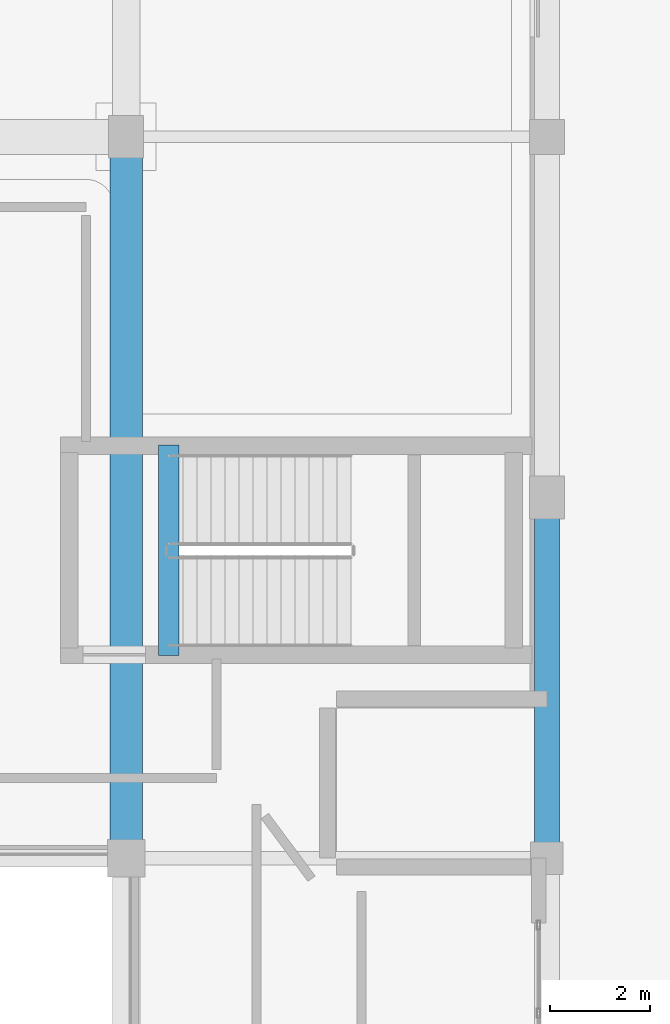
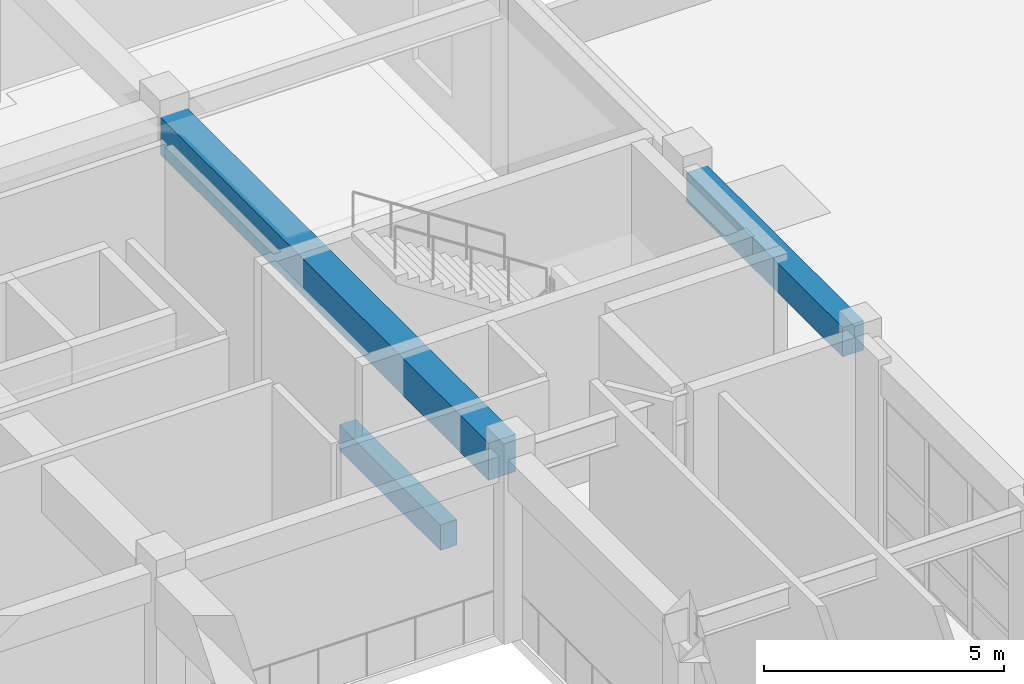
# One storey, part 43 of 78: 3 beams.
"""IFC4 building model written with IfcOpenShell, lengths in metres."""

from ifc_helpers import new_model, si_unit, direction, frame, origin, origin_2d, place, context, subcontext, project, spatial, rectangle, extrude, material, material_profile, profile_set, type_object, element, save


model = new_model("IFC4")

# Units and contexts
model_context = context("Model", 3, precision=1e-05, world=origin(), true_north=direction((0.0, 1.0)))
body_context = subcontext(model_context, "Body", "Model", "MODEL_VIEW")
ifc_project = project(units=[si_unit("LENGTHUNIT", "METRE"), si_unit("AREAUNIT", "SQUARE_METRE"), si_unit("VOLUMEUNIT", "CUBIC_METRE"), si_unit("PLANEANGLEUNIT", "RADIAN"), si_unit("MASSUNIT", "GRAM", prefix="KILO")], contexts=[model_context])

# Site, building, storey
site_placement = place(None, origin())
site = spatial("IfcSite", under=ifc_project, at=site_placement, CompositionType="ELEMENT")
building_placement = place(site_placement, origin())
building = spatial("IfcBuilding", under=site, at=building_placement, Name="Quendrovan Civic Courthouse", CompositionType="ELEMENT")
storey_placement = place(building_placement, frame((0.0, 0.0, 10.199951171875)))
storey = spatial("IfcBuildingStorey", under=building, at=storey_placement, Name="L03", CompositionType="ELEMENT", Elevation=10.199951171875)

# Beams
ifc_material_1 = material(Name="Post-tensioned concrete C50/60", Category="concrete")
ifc_material_profile_1 = material_profile(ifc_material_1, rectangle(XDim=0.64990234375, YDim=0.949951171875, at=origin_2d()), Name="PT-GIRD-650x950")
ifc_profile_set_1 = profile_set([ifc_material_profile_1], Name="Post-tensioned concrete C50/60")
beam_type_1 = type_object("IfcBeamType", Name="BM-PT950", PredefinedType="BEAM", material=ifc_profile_set_1)
beam_1_placement = place(storey_placement, frame((84.0, 87.955078125, 4.18505859375), z_axis=(0.0, 1.0, 0.0), x_axis=(-1.0, 0.0, 0.0)))
element("IfcBeam", 1, at=beam_1_placement, inside=storey, type_object=beam_type_1, Name="L03 Girder Y0853", PredefinedType="BEAM", context=body_context, shape_type="SweptSolid", body=[
    extrude(rectangle(XDim=0.64990234375, YDim=0.949951171875, at=origin_2d()), origin(), (0.0, 0.0, 1.0), 13.639892578125),
])
ifc_material_2 = material(Name="Concrete C40/50", Category="concrete")
ifc_material_profile_2 = material_profile(ifc_material_2, rectangle(XDim=0.39990234375, YDim=0.64990234375, at=origin_2d()), Name="RC-BM-400x650")
ifc_profile_set_2 = profile_set([ifc_material_profile_2], Name="Concrete C40/50")
beam_type_2 = type_object("IfcBeamType", Name="BM-RC650", PredefinedType="JOIST", material=ifc_profile_set_2)
beam_2_placement = place(storey_placement, frame((84.85009765625, 91.64990234375, -0.324951171875), z_axis=(0.0, 1.0, 0.0), x_axis=(-1.0, 0.0, 0.0)))
element("IfcBeam", 2, at=beam_2_placement, inside=storey, type_object=beam_type_2, Name="L03 Stair ST3 Landing Trimmer Beam", PredefinedType="JOIST", context=body_context, shape_type="SweptSolid", body=[
    extrude(rectangle(XDim=0.39990234375, YDim=0.64990234375, at=origin_2d()), origin(), (0.0, 0.0, 1.0), 4.2001953125),
])
ifc_material_profile_3 = material_profile(ifc_material_2, rectangle(XDim=0.5, YDim=0.75, at=origin_2d()), Name="RC-BM-500x750")
ifc_profile_set_3 = profile_set([ifc_material_profile_3], Name="Concrete C40/50")
beam_type_3 = type_object("IfcBeamType", Name="BM-RC750", PredefinedType="SPANDREL", material=ifc_profile_set_3)
beam_3_placement = place(storey_placement, frame((92.39990234375, 87.905029296875, 4.28515625), z_axis=(0.0, 1.0, 0.0), x_axis=(-1.0, 0.0, 0.0)))
element("IfcBeam", 3, at=beam_3_placement, inside=storey, type_object=beam_type_3, Name="L03 Girder Y0858", PredefinedType="SPANDREL", context=body_context, shape_type="SweptSolid", body=[
    extrude(rectangle(XDim=0.5, YDim=0.75, at=origin_2d()), origin(), (0.0, 0.0, 1.0), 6.489990234375),
])

save(model, "model.ifc")
